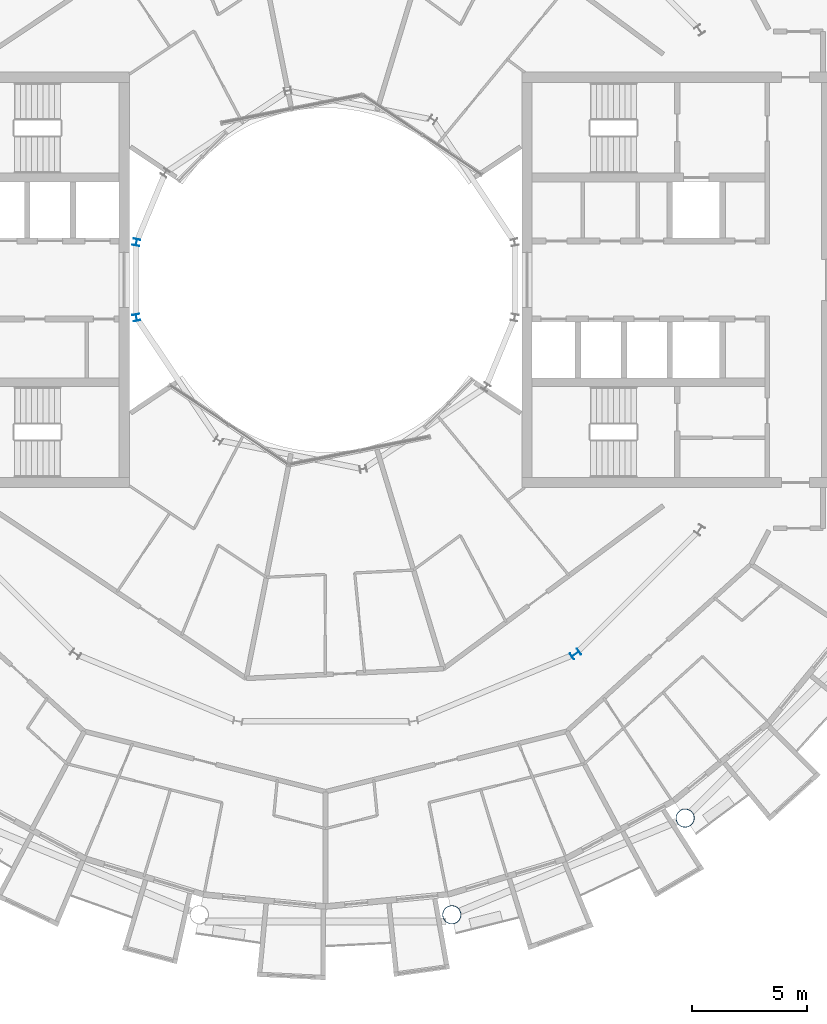
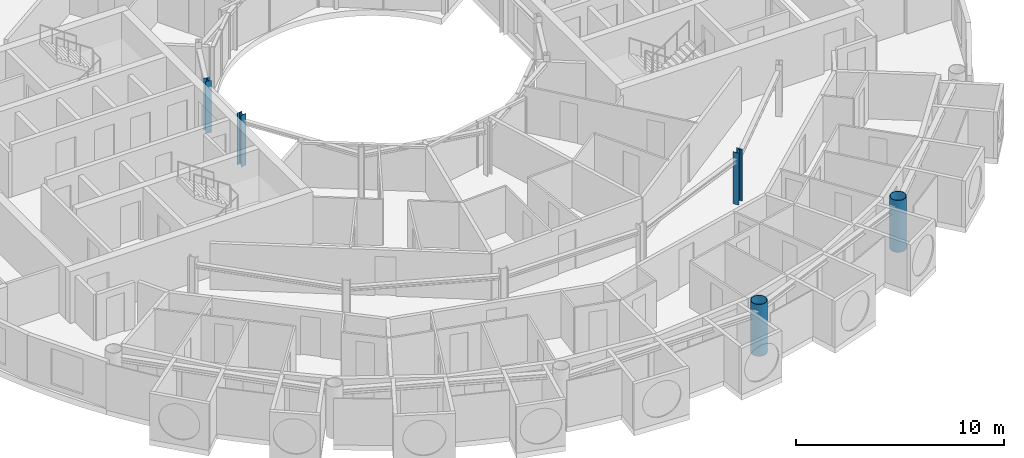
# One storey, part 2 of 29: 5 columns.
"""IFC4 building model written with IfcOpenShell, lengths in metres."""

import ifcopenshell
import ifcopenshell.guid

model = None  # the IFC model being written
_history = None  # IfcOwnerHistory: only IFC2X3 demands one
_inside = {}  # id of a spatial element -> (the spatial element, [elements in it])
_under = {}  # id of a project, library or spatial element -> (it, [spatial elements below it])
_declared = {}  # id of a project -> (the project, [libraries it declares])
_typed = {}  # id of a type object -> (the type object, [elements of that type])
_made_of = {}  # id of a material, layer set ... -> (it, [elements and type objects made of it])


def new_model(schema):
    """Start an empty IFC model of exactly this schema.

    Asked for "IFC4X3", IfcOpenShell would pick the latest addendum, in which some entities
    have other attributes; the version numbers below select the first issue.
    IFC2X3 requires an IfcOwnerHistory on every rooted entity: one is made here for all.
    """
    global model, _history
    if schema == "IFC4X3":
        model = ifcopenshell.file(schema_version=(4, 3, 0, 0))
    else:
        model = ifcopenshell.file(schema=schema)
    _inside.clear()
    _under.clear()
    _declared.clear()
    _typed.clear()
    _made_of.clear()
    _history = None
    if model.schema == "IFC2X3":
        org = make("IfcOrganization", Name="unknown")
        user = make(
            "IfcPersonAndOrganization",
            ThePerson=make("IfcPerson", FamilyName="unknown"),
            TheOrganization=org,
        )
        app = make(
            "IfcApplication",
            ApplicationDeveloper=org,
            Version="unknown",
            ApplicationFullName="unknown",
            ApplicationIdentifier="unknown",
        )
        _history = make(
            "IfcOwnerHistory",
            OwningUser=user,
            OwningApplication=app,
            ChangeAction="ADDED",
            CreationDate=0,
        )
    return model


def make(cls, **values):
    """One entity of the class cls with the attributes given. An attribute that is None is left unset."""
    return model.create_entity(
        cls, **{name: value for name, value in values.items() if value is not None}
    )


def rooted(cls, **values):
    """An entity with a GlobalId (a new one), such as an element, a storey or a relation."""
    return make(cls, GlobalId=ifcopenshell.guid.new(), OwnerHistory=_history, **values)


def si_unit(unit_type, name, prefix=None):
    """IfcSIUnit, for example si_unit("LENGTHUNIT", "METRE", prefix="MILLI")."""
    return make("IfcSIUnit", UnitType=unit_type, Prefix=prefix, Name=name)


def assignment(units):
    """IfcUnitAssignment: the units of a project."""
    return None if units is None else make("IfcUnitAssignment", Units=units)


def point(xyz):
    """IfcCartesianPoint."""
    return None if xyz is None else make("IfcCartesianPoint", Coordinates=xyz)


def direction(xyz):
    """IfcDirection."""
    return None if xyz is None else make("IfcDirection", DirectionRatios=xyz)


def frame(location, z_axis=None, x_axis=None):
    """IfcAxis2Placement3D, a coordinate frame: its origin and axes. An axis left out is left unset."""
    return make(
        "IfcAxis2Placement3D",
        Location=point(location),
        Axis=direction(z_axis),
        RefDirection=direction(x_axis),
    )


def frame_2d(location, x_axis=None):
    """IfcAxis2Placement2D, a coordinate frame in the plane: its origin and x axis."""
    return make(
        "IfcAxis2Placement2D", Location=point(location), RefDirection=direction(x_axis)
    )


def origin():
    """The frame at (0, 0, 0) with its axes left unset."""
    return frame((0.0, 0.0, 0.0))


def origin_2d():
    """The frame at (0, 0) in the plane with its x axis left unset."""
    return frame_2d((0.0, 0.0))


def place(relative_to, where):
    """IfcLocalPlacement: puts the frame where relative to a parent placement (None: the world)."""
    return make(
        "IfcLocalPlacement", PlacementRelTo=relative_to, RelativePlacement=where
    )


def context(
    kind, dimensions, precision=None, world=None, true_north=None, identifier=None
):
    """IfcGeometricRepresentationContext, for example the 3D "Model" context."""
    return make(
        "IfcGeometricRepresentationContext",
        ContextIdentifier=identifier,
        ContextType=kind,
        CoordinateSpaceDimension=dimensions,
        Precision=precision,
        WorldCoordinateSystem=world,
        TrueNorth=true_north,
    )


def subcontext(parent, identifier, kind, view, scale=None):
    """IfcGeometricRepresentationSubContext, for example "Body" below "Model"."""
    return make(
        "IfcGeometricRepresentationSubContext",
        ContextIdentifier=identifier,
        ContextType=kind,
        ParentContext=parent,
        TargetScale=scale,
        TargetView=view,
    )


def project(units=None, contexts=None):
    """IfcProject with its units and contexts."""
    return rooted(
        "IfcProject",
        Name="project",
        RepresentationContexts=contexts,
        UnitsInContext=assignment(units),
    )


def spatial(cls, under=None, at=None, **own):
    """A site, building, storey or space (cls), placed at a placement, below another one or the project."""
    s = rooted(cls, ObjectPlacement=at, **own)
    if under is not None:
        _under.setdefault(under.id(), (under, []))[1].append(s)
    return s


def profile(cls, at=None, kind="AREA", **sizes):
    """A parametric profile (cls). Its sizes go by their IFC names, for example OverallWidth=200.0."""
    return make(cls, ProfileType=kind, Position=at, **sizes)


def hollow_circle(**sizes):
    """IfcCircleHollowProfileDef."""
    return profile("IfcCircleHollowProfileDef", **sizes)


def i_section(**sizes):
    """IfcIShapeProfileDef."""
    return profile("IfcIShapeProfileDef", **sizes)


def extrude(swept, where, along, depth):
    """IfcExtrudedAreaSolid: the profile swept, set in the frame where, extruded along a direction by depth."""
    return make(
        "IfcExtrudedAreaSolid",
        SweptArea=swept,
        Position=where,
        ExtrudedDirection=direction(along),
        Depth=depth,
    )


def shape(context_of_items, identifier, shape_type, items):
    """IfcShapeRepresentation: the items that make up one representation, for example the "Body"."""
    return make(
        "IfcShapeRepresentation",
        ContextOfItems=context_of_items,
        RepresentationIdentifier=identifier,
        RepresentationType=shape_type,
        Items=items,
    )


def material(Name=None, Category=None):
    """IfcMaterial."""
    return make("IfcMaterial", Name=Name, Category=Category)


def material_profile(
    of_material, cross_section, Name=None, Category=None, Priority=None
):
    """IfcMaterialProfile: a cross section and its material."""
    return make(
        "IfcMaterialProfile",
        Name=Name,
        Material=of_material,
        Profile=cross_section,
        Priority=Priority,
        Category=Category,
    )


def profile_set(profiles, Name=None, composite=None):
    """IfcMaterialProfileSet."""
    return make(
        "IfcMaterialProfileSet",
        Name=Name,
        MaterialProfiles=profiles,
        CompositeProfile=composite,
    )


def made_of(thing, what):
    """Note that an element or type object is made of a material, layer set ...; save() writes the relation."""
    if what is not None:
        _made_of.setdefault(what.id(), (what, []))[1].append(thing)
    return thing


def type_object(cls, material=None, **own):
    """A type object (cls), such as IfcWallType, which elements share."""
    return made_of(rooted(cls, **own), material)


def element(
    cls,
    number,
    at=None,
    inside=None,
    cuts=None,
    type_object=None,
    material=None,
    context=None,
    identifier="Body",
    shape_type=None,
    held_by="IfcProductDefinitionShape",
    body=None,
    shapes=None,
    **own,
):
    """One element of the class cls, such as IfcWall. Its Tag is "e" and its number.

    at: its placement. inside: the storey or other place that contains it. cuts: it is an
    opening in that element (IfcRelVoidsElement). A single representation is given by context,
    identifier, shape_type and body (its items); several are given by shapes. held_by: the class
    of the entity that holds the representations. save() writes the other relations.
    """
    e = rooted(cls, Tag="e%d" % number, ObjectPlacement=at, **own)
    if body is not None:
        shapes = [shape(context, identifier, shape_type, body)]
    if shapes is not None:
        e.Representation = make(held_by, Representations=shapes)
    if inside is not None:
        _inside.setdefault(inside.id(), (inside, []))[1].append(e)
    if cuts is not None:
        rooted(
            "IfcRelVoidsElement", RelatingBuildingElement=cuts, RelatedOpeningElement=e
        )
    if type_object is not None:
        _typed.setdefault(type_object.id(), (type_object, []))[1].append(e)
    return made_of(e, material)


def aggregate(whole, parts):
    """IfcRelAggregates: a whole, such as a stair, and the parts it consists of."""
    return rooted("IfcRelAggregates", RelatingObject=whole, RelatedObjects=parts)


def save(model, path):
    """Write the relations noted so far, then the file.

    IfcRelAggregates (storeys below a building ...), IfcRelContainedInSpatialStructure (elements
    in a storey), IfcRelDefinesByType, IfcRelAssociatesMaterial and IfcRelDeclares: one each for
    every whole, place, type object, material and project.
    """
    for whole, parts in _under.values():
        aggregate(whole, parts)
    for where, things in _inside.values():
        rooted(
            "IfcRelContainedInSpatialStructure",
            RelatedElements=things,
            RelatingStructure=where,
        )
    for kind, things in _typed.values():
        rooted("IfcRelDefinesByType", RelatedObjects=things, RelatingType=kind)
    for what, things in _made_of.values():
        rooted("IfcRelAssociatesMaterial", RelatedObjects=things, RelatingMaterial=what)
    for by, libraries in _declared.values():
        rooted("IfcRelDeclares", RelatingContext=by, RelatedDefinitions=libraries)
    model.write(path)


model = new_model("IFC4")

# Units and contexts
model_context = context("Model", 3, precision=1e-05, world=origin(), true_north=direction((0.0, 1.0)))
body_context = subcontext(model_context, "Body", "Model", "MODEL_VIEW")
ifc_project = project(units=[si_unit("LENGTHUNIT", "METRE"), si_unit("AREAUNIT", "SQUARE_METRE"), si_unit("VOLUMEUNIT", "CUBIC_METRE"), si_unit("PLANEANGLEUNIT", "RADIAN"), si_unit("MASSUNIT", "GRAM", prefix="KILO")], contexts=[model_context])

# Site, building, storey
site_placement = place(None, origin())
site = spatial("IfcSite", under=ifc_project, at=site_placement, CompositionType="ELEMENT")
building_placement = place(site_placement, origin())
building = spatial("IfcBuilding", under=site, at=building_placement, Name="Maasbend Ring Residences", CompositionType="ELEMENT")
storey_placement = place(building_placement, frame((0.0, 0.0, 190.199951171875)))
storey = spatial("IfcBuildingStorey", under=building, at=storey_placement, Name="L54", CompositionType="ELEMENT", Elevation=190.199951171875)

# Columns
ifc_material_1 = material(Name="Composite concrete-filled steel tube S460NH / C80/95", Category="concrete")
ifc_material_profile_1 = material_profile(ifc_material_1, hollow_circle(Radius=0.406494140625, WallThickness=0.030029296875, at=origin_2d()), Name="Composite tube column CHS 813x30")
ifc_profile_set_1 = profile_set([ifc_material_profile_1], Name="Composite concrete-filled steel tube S460NH / C80/95")
column_type_1 = type_object("IfcColumnType", Name="Composite tube column CHS 813x30", PredefinedType="COLUMN", material=ifc_profile_set_1)
for number, where, z_axis, x_axis, name in (
    (1, (5.50146484375, -27.658203125, 0.0), (0.0, 0.0, 1.0), (1.0, 0.0, 0.0), "Outer column R13"),
    (2, (15.6669921875, -23.447509765625, 0.0), (0.0, 0.0, 1.0), (1.0, 0.0, 0.0), "Outer column R14"),
):
    element("IfcColumn", number, at=place(storey_placement, frame(where, z_axis=z_axis, x_axis=x_axis)), inside=storey, type_object=column_type_1, Name=name, PredefinedType="COLUMN", context=body_context, shape_type="SweptSolid", body=[
        extrude(hollow_circle(Radius=0.406494140625, WallThickness=0.030029296875, at=origin_2d()), origin(), (0.0, 0.0, 1.0), 3.050048828125),
    ])
ifc_material_2 = material(Name="Steel S355J2", Category="steel")
ifc_material_profile_2 = material_profile(ifc_material_2, i_section(OverallWidth=0.300048828125, OverallDepth=0.2900390625, WebThickness=0.008544921875, FlangeThickness=0.013916015625, FilletRadius=0.027099609375, at=origin_2d()), Name="HEA 300")
ifc_profile_set_2 = profile_set([ifc_material_profile_2], Name="Steel S355J2")
column_type_2 = type_object("IfcColumnType", Name="Steel column HEA 300", PredefinedType="COLUMN", material=ifc_profile_set_2)
for number, where, z_axis, x_axis, name in (
    (3, (-8.238525390625, 1.638916015625, 0.0), (0.0, 0.0, 1.0), (-0.980785280403, 0.195090322016, 0.0), "Well ring column R8"),
    (4, (-8.238525390625, -1.638916015625, 0.0), (0.0, 0.0, 1.0), (-0.980785280403, -0.195090322016, 0.0), "Well ring column R9"),
):
    element("IfcColumn", number, at=place(storey_placement, frame(where, z_axis=z_axis, x_axis=x_axis)), inside=storey, type_object=column_type_2, Name=name, PredefinedType="COLUMN", context=body_context, shape_type="SweptSolid", body=[
        extrude(i_section(OverallWidth=0.300048828125, OverallDepth=0.2900390625, WebThickness=0.008544921875, FlangeThickness=0.013916015625, FilletRadius=0.027099609375, at=origin_2d()), origin(), (0.0, 0.0, 1.0), 3.050048828125),
    ])
ifc_material_3 = material(Name="Steel S355J2", Category="steel")
ifc_material_profile_3 = material_profile(ifc_material_3, i_section(OverallWidth=0.300048828125, OverallDepth=0.39990234375, WebThickness=0.013427734375, FlangeThickness=0.02392578125, FilletRadius=0.027099609375, at=origin_2d()), Name="HEB 400")
ifc_profile_set_3 = profile_set([ifc_material_profile_3], Name="Steel S355J2")
column_type_3 = type_object("IfcColumnType", Name="Steel column HEB 400", PredefinedType="COLUMN", material=ifc_profile_set_3)
column_placement = place(storey_placement, frame((10.88916015625, -16.296875, 0.0), z_axis=(0.0, 0.0, 1.0), x_axis=(0.55557023302, -0.831469612303, 0.0)))
element("IfcColumn", 5, at=column_placement, inside=storey, type_object=column_type_3, Name="Corridor ring column R14", PredefinedType="COLUMN", context=body_context, shape_type="SweptSolid", body=[
    extrude(i_section(OverallWidth=0.300048828125, OverallDepth=0.39990234375, WebThickness=0.013427734375, FlangeThickness=0.02392578125, FilletRadius=0.027099609375, at=origin_2d()), origin(), (0.0, 0.0, 1.0), 3.050048828125),
])

save(model, "model.ifc")
